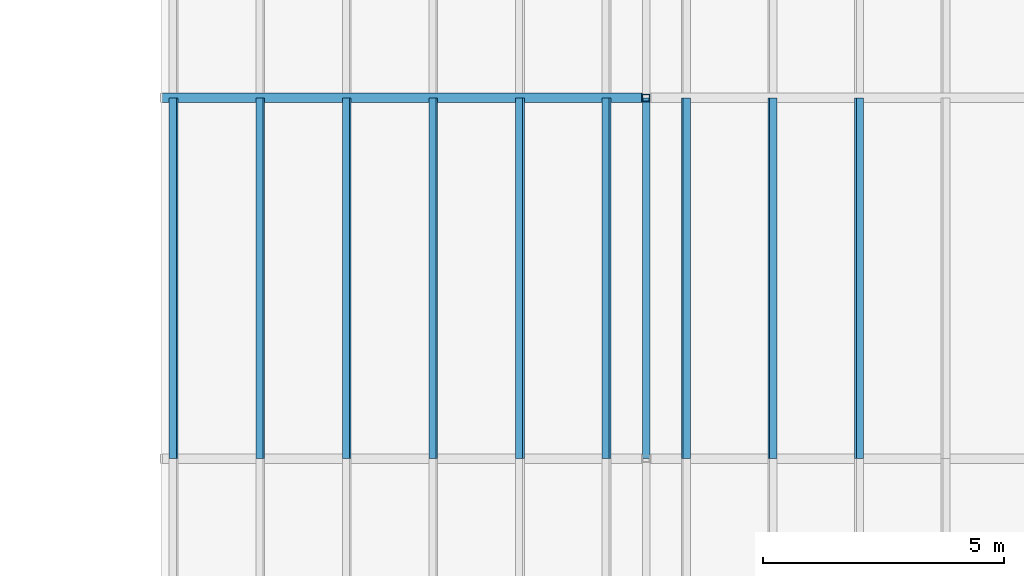
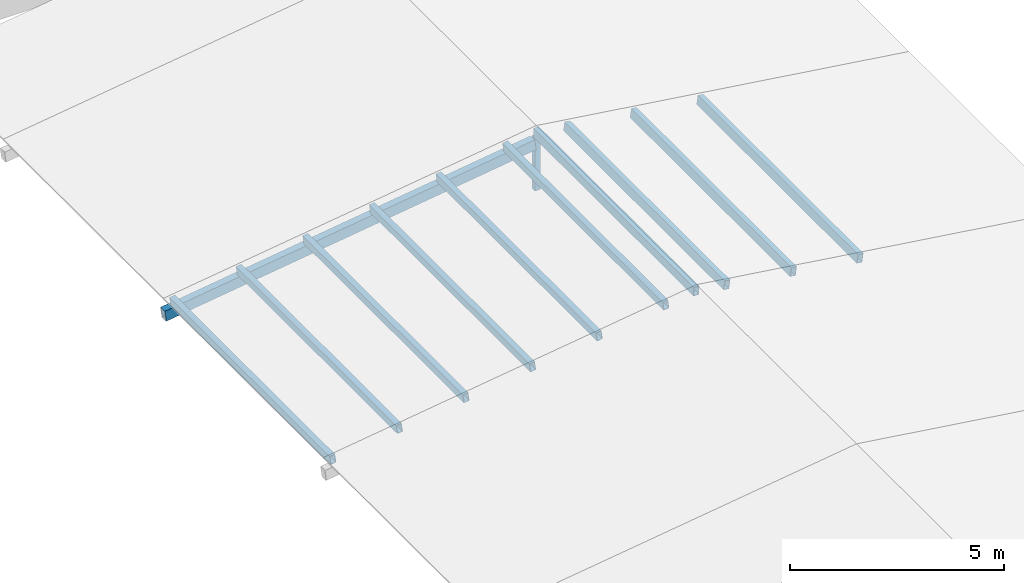
# One storey, part 17 of 52: 12 members.
"""IFC4 building model written with IfcOpenShell, lengths in metres."""

from ifc_helpers import new_model, si_unit, direction, frame, origin, origin_2d, place, context, subcontext, project, spatial, hollow_rectangle, extrude, material, material_profile, profile_set, type_object, element, save


model = new_model("IFC4")

# Units and contexts
model_context = context("Model", 3, precision=1e-05, world=origin(), true_north=direction((0.0, 1.0)))
body_context = subcontext(model_context, "Body", "Model", "MODEL_VIEW")
ifc_project = project(units=[si_unit("LENGTHUNIT", "METRE"), si_unit("AREAUNIT", "SQUARE_METRE"), si_unit("VOLUMEUNIT", "CUBIC_METRE"), si_unit("PLANEANGLEUNIT", "RADIAN"), si_unit("MASSUNIT", "GRAM", prefix="KILO")], contexts=[model_context])

# Site, building, storey
site_placement = place(None, origin())
site = spatial("IfcSite", under=ifc_project, at=site_placement, CompositionType="ELEMENT")
building_placement = place(site_placement, origin())
building = spatial("IfcBuilding", under=site, at=building_placement, Name="Cour d'Honneur Mobility Palace", CompositionType="ELEMENT")
storey_placement = place(building_placement, frame((0.0, 0.0, 23.0)))
storey = spatial("IfcBuildingStorey", under=building, at=storey_placement, Name="L06", CompositionType="ELEMENT", Elevation=23.0)

# Members
ifc_material_1 = material(Name="Steel S355", Category="steel")
ifc_material_profile_1 = material_profile(ifc_material_1, hollow_rectangle(XDim=0.14990234375, YDim=0.14990234375, WallThickness=0.008056640625, at=origin_2d()), Name="RHS 150x150x8")
ifc_profile_set_1 = profile_set([ifc_material_profile_1], Name="Steel S355")
member_type_1 = type_object("IfcMemberType", Name="Terrace king post RHS 150x150x8", PredefinedType="STRUT", material=ifc_profile_set_1)
member_1_placement = place(storey_placement, frame((153.60009765625, 92.39990234375, 0.300048828125), z_axis=(0.0, 0.0, 1.0), x_axis=(1.0, 0.0, 0.0)))
element("IfcMember", 1, at=member_1_placement, inside=storey, type_object=member_type_1, Name="Terrace king post TK-S4", PredefinedType="STRUT", context=body_context, shape_type="SweptSolid", body=[
    extrude(hollow_rectangle(XDim=0.14990234375, YDim=0.14990234375, WallThickness=0.008056640625, at=origin_2d()), origin(), (0.0, 0.0, 1.0), 1.5029296875),
])
ifc_material_2 = material(Name="Steel S355", Category="steel")
ifc_material_profile_2 = material_profile(ifc_material_2, hollow_rectangle(XDim=0.14990234375, YDim=0.25, WallThickness=0.010009765625, at=origin_2d()), Name="RHS 250x150x10")
ifc_profile_set_2 = profile_set([ifc_material_profile_2], Name="Steel S355")
member_type_2 = type_object("IfcMemberType", Name="Terrace purlin RHS 250x150x10", PredefinedType="PURLIN", material=ifc_profile_set_2)
for number, where, z_axis, x_axis, name in (
    (2, (143.77490234375, 84.89990234375, 0.55419921875), (0.0, 1.0, 0.0), (-0.990349673475, 0.0, -0.138591212736), "Terrace purlin TU-S1.3"),
    (3, (145.574951171875, 84.89990234375, 0.80615234375), (0.0, 1.0, 0.0), (-0.990349673475, 0.0, -0.138591212736), "Terrace purlin TU-S2.3"),
    (4, (147.375, 84.89990234375, 1.05810546875), (0.0, 1.0, 0.0), (-0.990349673475, 0.0, -0.138591212736), "Terrace purlin TU-S3.3"),
    (5, (149.175048828125, 84.89990234375, 1.309814453125), (0.0, 1.0, 0.0), (-0.990349673475, 0.0, -0.138591212736), "Terrace purlin TU-S4.3"),
    (6, (150.97509765625, 84.89990234375, 1.561767578125), (0.0, 1.0, 0.0), (-0.990349673475, 0.0, -0.138591212736), "Terrace purlin TU-S5.3"),
    (7, (152.77490234375, 84.89990234375, 1.813720703125), (0.0, 1.0, 0.0), (-0.990349673475, 0.0, -0.138591212736), "Terrace purlin TU-S6.3"),
    (8, (158.02490234375, 84.89990234375, 1.309814453125), (0.0, 1.0, 0.0), (-0.990349673475, 0.0, 0.138591212736), "Terrace purlin TU-S10.3"),
    (9, (156.22509765625, 84.89990234375, 1.561767578125), (0.0, 1.0, 0.0), (-0.990349673475, 0.0, 0.138591212736), "Terrace purlin TU-S11.3"),
    (10, (154.425048828125, 84.89990234375, 1.813720703125), (0.0, 1.0, 0.0), (-0.990349673475, 0.0, 0.138591212736), "Terrace purlin TU-S12.3"),
    (11, (153.60009765625, 84.89990234375, 1.927978515625), (0.0, 1.0, 0.0), (-1.0, 0.0, 0.0), "Terrace purlin TU-S13.3"),
):
    element("IfcMember", number, at=place(storey_placement, frame(where, z_axis=z_axis, x_axis=x_axis)), inside=storey, type_object=member_type_2, Name=name, PredefinedType="PURLIN", context=body_context, shape_type="SweptSolid", body=[
        extrude(hollow_rectangle(XDim=0.14990234375, YDim=0.25, WallThickness=0.010009765625, at=origin_2d()), origin(), (0.0, 0.0, 1.0), 7.5),
    ])
ifc_material_3 = material(Name="Steel S355", Category="steel")
ifc_material_profile_3 = material_profile(ifc_material_3, hollow_rectangle(XDim=0.199951171875, YDim=0.300048828125, WallThickness=0.012451171875, at=origin_2d()), Name="RHS 300x200x12.5")
ifc_profile_set_3 = profile_set([ifc_material_profile_3], Name="Steel S355")
member_type_3 = type_object("IfcMemberType", Name="Terrace rafter RHS 300x200x12.5", PredefinedType="RAFTER", material=ifc_profile_set_3)
member_2_placement = place(storey_placement, frame((143.52490234375, 92.39990234375, 0.241455078125), z_axis=(0.990349712833, 0.0, 0.138590931493), x_axis=(0.0, 1.0, 0.0)))
element("IfcMember", 12, at=member_2_placement, inside=storey, type_object=member_type_3, Name="Terrace rafter TF-S4W", PredefinedType="RAFTER", context=body_context, shape_type="SweptSolid", body=[
    extrude(hollow_rectangle(XDim=0.199951171875, YDim=0.300048828125, WallThickness=0.012451171875, at=origin_2d()), origin(), (0.0, 0.0, 1.0), 10.097412109375),
])

save(model, "model.ifc")
